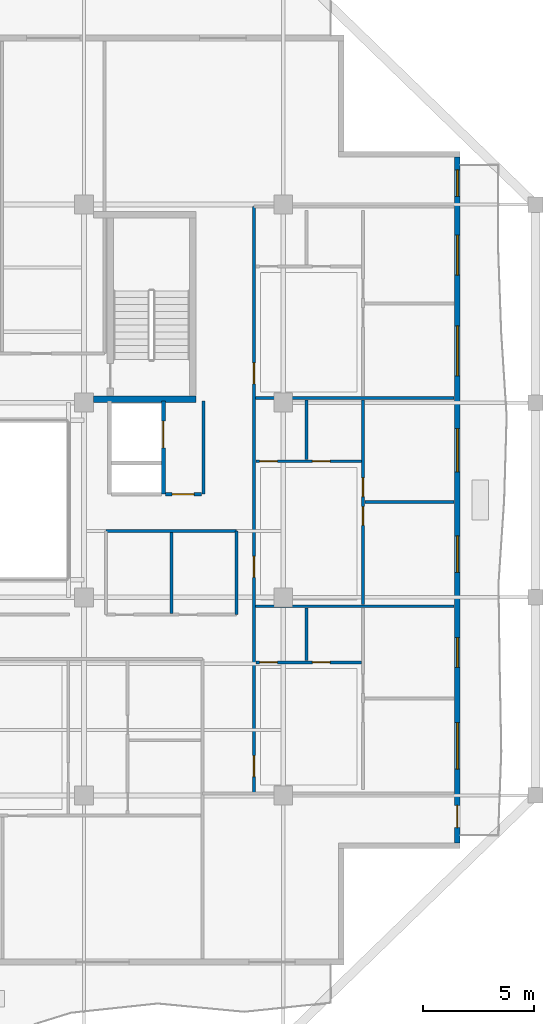
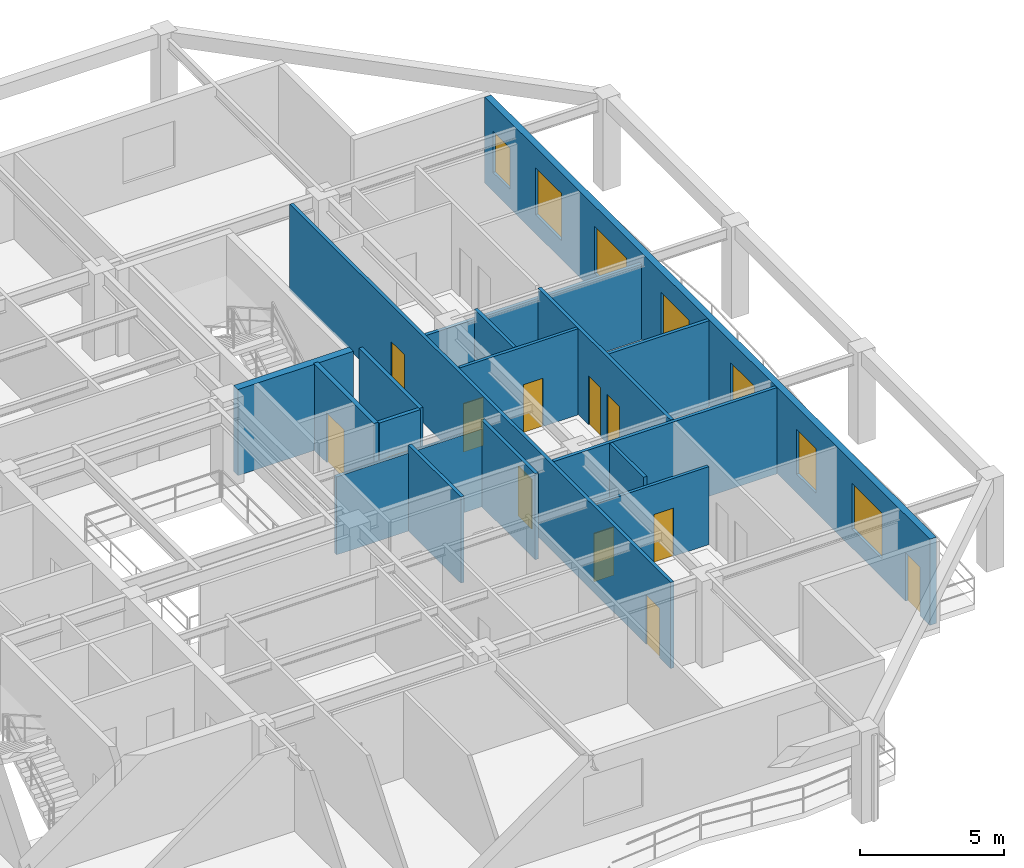
# One storey, part 5 of 13: 17 walls, 12 doors, 7 windows, 19 openings.
"""IFC4 building model written with IfcOpenShell, lengths in metres."""

from ifc_helpers import new_model, si_unit, direction, frame, frame_2d, origin, place, context, subcontext, project, spatial, rectangle, extrude, material, layer, layer_set, type_object, element, fill, save


model = new_model("IFC4")

# Units and contexts
model_context = context("Model", 3, precision=1e-05, world=origin(), true_north=direction((0.0, 1.0)))
body_context = subcontext(model_context, "Body", "Model", "MODEL_VIEW")
ifc_project = project(units=[si_unit("LENGTHUNIT", "METRE"), si_unit("AREAUNIT", "SQUARE_METRE"), si_unit("VOLUMEUNIT", "CUBIC_METRE"), si_unit("PLANEANGLEUNIT", "RADIAN"), si_unit("MASSUNIT", "GRAM", prefix="KILO")], contexts=[model_context])

# Site, building, storey
site_placement = place(None, origin())
site = spatial("IfcSite", under=ifc_project, at=site_placement, CompositionType="ELEMENT")
building_placement = place(site_placement, origin())
building = spatial("IfcBuilding", under=site, at=building_placement, Name="Kundavana Baori Tower", CompositionType="ELEMENT")
storey_placement = place(building_placement, frame((0.0, 0.0, 225.800048828125)))
storey = spatial("IfcBuildingStorey", under=building, at=storey_placement, Name="L55", CompositionType="ELEMENT", Elevation=225.800048828125)

# Wall, openings, door, windows
ifc_material_1 = material(Name="Kiln-Fired Terracotta Brick-Slip Masonry on Concrete C40/50", Category="masonry")
ifc_layer_1 = layer(ifc_material_1, 0.260009765625, Name="WL-EXT-BRK-260")
ifc_layer_set_1 = layer_set([ifc_layer_1], Name="Kiln-Fired Terracotta Brick-Slip Masonry on Concrete C40/50")
wall_type_1 = type_object("IfcWallType", Name="WL-EXT-BRK-260", PredefinedType="SOLIDWALL", material=ifc_layer_set_1)
wall_1_placement = place(storey_placement, frame((50.669921875, 13.110107421875, 0.0), z_axis=(0.0, 0.0, 1.0), x_axis=(0.0, 1.0, 0.0)))
wall_1 = element("IfcWall", 1, at=wall_1_placement, inside=storey, type_object=wall_type_1, Name="L55 Exterior Insulated Facade Wall 04", PredefinedType="SOLIDWALL", context=body_context, shape_type="SweptSolid", body=[
    extrude(rectangle(XDim=30.97998046875, YDim=0.260009765625, at=frame_2d((15.489990234375, 0.0))), origin(), (0.0, 0.0, 1.0), 3.659912109375),
])
opening_1_placement = place(wall_1_placement, frame((0.68994140625, 0.0, 0.0)))
opening_1 = element("IfcOpeningElement", 2, at=opening_1_placement, cuts=wall_1, Name="Opening BD-1", PredefinedType="OPENING", context=body_context, shape_type="SweptSolid", body=[
    extrude(rectangle(XDim=1.0, YDim=2.050048828125, at=frame_2d((0.5, 1.02490234375))), frame((0.0, 0.14013671875, 0.0), z_axis=(0.0, -1.0, 0.0), x_axis=(1.0, 0.0, 0.0)), (0.0, 0.0, 1.0), 0.280029296875),
])
opening_2_placement = place(wall_1_placement, frame((3.327880859375, 0.0, 0.800048828125)))
opening_2 = element("IfcOpeningElement", 3, at=opening_2_placement, cuts=wall_1, Name="Opening W-05", PredefinedType="OPENING", context=body_context, shape_type="SweptSolid", body=[
    extrude(rectangle(XDim=2.10009765625, YDim=1.949951171875, at=frame_2d((1.050048828125, 0.97509765625))), frame((0.0, 0.14013671875, 0.0), z_axis=(0.0, -1.0, 0.0), x_axis=(1.0, 0.0, 0.0)), (0.0, 0.0, 1.0), 0.280029296875),
])
opening_3_placement = place(wall_1_placement, frame((7.927001953125, 0.0, 0.800048828125)))
opening_3 = element("IfcOpeningElement", 4, at=opening_3_placement, cuts=wall_1, Name="Opening W-07", PredefinedType="OPENING", context=body_context, shape_type="SweptSolid", body=[
    extrude(rectangle(XDim=1.35009765625, YDim=1.89990234375, at=frame_2d((0.675048828125, 0.949951171875))), frame((0.0, 0.14013671875, 0.0), z_axis=(0.0, -1.0, 0.0), x_axis=(1.0, 0.0, 0.0)), (0.0, 0.0, 1.0), 0.280029296875),
])
opening_4_placement = place(wall_1_placement, frame((12.215087890625, 0.0, 0.800048828125)))
opening_4 = element("IfcOpeningElement", 5, at=opening_4_placement, cuts=wall_1, Name="Opening W-08", PredefinedType="OPENING", context=body_context, shape_type="SweptSolid", body=[
    extrude(rectangle(XDim=1.64990234375, YDim=1.949951171875, at=frame_2d((0.824951171875, 0.97509765625))), frame((0.0, 0.14013671875, 0.0), z_axis=(0.0, -1.0, 0.0), x_axis=(1.0, 0.0, 0.0)), (0.0, 0.0, 1.0), 0.280029296875),
])
opening_5_placement = place(wall_1_placement, frame((16.764892578125, 0.0, 0.800048828125)))
opening_5 = element("IfcOpeningElement", 6, at=opening_5_placement, cuts=wall_1, Name="Opening W-09", PredefinedType="OPENING", context=body_context, shape_type="SweptSolid", body=[
    extrude(rectangle(XDim=1.949951171875, YDim=2.0, at=frame_2d((0.97509765625, 1.0))), frame((0.0, 0.14013671875, 0.0), z_axis=(0.0, -1.0, 0.0), x_axis=(1.0, 0.0, 0.0)), (0.0, 0.0, 1.0), 0.280029296875),
])
opening_6_placement = place(wall_1_placement, frame((21.10205078125, 0.0, 0.800048828125)))
opening_6 = element("IfcOpeningElement", 7, at=opening_6_placement, cuts=wall_1, Name="Opening W-10", PredefinedType="OPENING", context=body_context, shape_type="SweptSolid", body=[
    extrude(rectangle(XDim=2.25, YDim=2.0, at=frame_2d((1.125, 1.0))), frame((0.0, 0.14013671875, 0.0), z_axis=(0.0, -1.0, 0.0), x_axis=(1.0, 0.0, 0.0)), (0.0, 0.0, 1.0), 0.280029296875),
])
opening_7_placement = place(wall_1_placement, frame((25.652099609375, 0.0, 0.800048828125)))
opening_7 = element("IfcOpeningElement", 8, at=opening_7_placement, cuts=wall_1, Name="Opening W-01", PredefinedType="OPENING", context=body_context, shape_type="SweptSolid", body=[
    extrude(rectangle(XDim=1.800048828125, YDim=2.0, at=frame_2d((0.89990234375, 1.0))), frame((0.0, 0.14013671875, 0.0), z_axis=(0.0, -1.0, 0.0), x_axis=(1.0, 0.0, 0.0)), (0.0, 0.0, 1.0), 0.280029296875),
])
opening_8_placement = place(wall_1_placement, frame((29.205078125, 0.0, 0.800048828125)))
opening_8 = element("IfcOpeningElement", 9, at=opening_8_placement, cuts=wall_1, Name="Opening W-03", PredefinedType="OPENING", context=body_context, shape_type="SweptSolid", body=[
    extrude(rectangle(XDim=1.199951171875, YDim=1.75, at=frame_2d((0.60009765625, 0.875))), frame((0.0, 0.14013671875, 0.0), z_axis=(0.0, -1.0, 0.0), x_axis=(1.0, 0.0, 0.0)), (0.0, 0.0, 1.0), 0.280029296875),
])
ifc_material_2 = material(Name="Architectural Patinated Bronze Metalwork")
door_type_1 = type_object("IfcDoorType", Name="DR-EXT-LOG-1000", OperationType="NOTDEFINED", PredefinedType="DOOR", material=ifc_material_2)
door_1_placement = place(opening_1_placement, frame((1.0, 0.0, 0.0), z_axis=(0.0, 0.0, 1.0), x_axis=(-1.0, 0.0, 0.0)))
door_1 = element("IfcDoor", 10, at=door_1_placement, inside=storey, type_object=door_type_1, Name="L55 Loggia Balcony Access Door E", OperationType="SINGLE_SWING_RIGHT", OverallHeight=2.050048828125, OverallWidth=1.0, PredefinedType="DOOR", context=body_context, shape_type="SweptSolid", body=[
    extrude(rectangle(XDim=1.0, YDim=2.050048828125, at=frame_2d((0.5, 1.02490234375))), frame((0.0, 0.02490234375, 0.0), z_axis=(0.0, -1.0, 0.0), x_axis=(1.0, 0.0, 0.0)), (0.0, 0.0, 1.0), 0.050048828125),
])
fill(opening_1, door_1)
ifc_material_3 = material(Name="Double-Glazed Solar-Control Low-E Insulated Glass", Category="glass")
window_type_1 = type_object("IfcWindowType", Name="WIN-LOG-1200x1750", PartitioningType="SINGLE_PANEL", PredefinedType="WINDOW", material=ifc_material_3)
window_1_placement = place(opening_8_placement, origin())
window_1 = element("IfcWindow", 11, at=window_1_placement, inside=storey, type_object=window_type_1, Name="L55 Recessed Loggia Window E-8", OverallHeight=1.75, OverallWidth=1.199951171875, PartitioningType="SINGLE_PANEL", PredefinedType="WINDOW", context=body_context, shape_type="SweptSolid", body=[
    extrude(rectangle(XDim=1.199951171875, YDim=1.75, at=frame_2d((0.60009765625, 0.875))), frame((0.0, 0.030029296875, 0.0), z_axis=(0.0, -1.0, 0.0), x_axis=(1.0, 0.0, 0.0)), (0.0, 0.0, 1.0), 0.06005859375),
])
fill(opening_8, window_1)
ifc_material_4 = material(Name="Double-Glazed Solar-Control Low-E Insulated Glass", Category="glass")
window_type_2 = type_object("IfcWindowType", Name="WIN-LOG-1350x1900", PartitioningType="SINGLE_PANEL", PredefinedType="WINDOW", material=ifc_material_4)
window_2_placement = place(opening_3_placement, origin())
window_2 = element("IfcWindow", 12, at=window_2_placement, inside=storey, type_object=window_type_2, Name="L55 Recessed Loggia Window E-3", OverallHeight=1.89990234375, OverallWidth=1.35009765625, PartitioningType="SINGLE_PANEL", PredefinedType="WINDOW", context=body_context, shape_type="SweptSolid", body=[
    extrude(rectangle(XDim=1.35009765625, YDim=1.89990234375, at=frame_2d((0.675048828125, 0.949951171875))), frame((0.0, 0.030029296875, 0.0), z_axis=(0.0, -1.0, 0.0), x_axis=(1.0, 0.0, 0.0)), (0.0, 0.0, 1.0), 0.06005859375),
])
fill(opening_3, window_2)
ifc_material_5 = material(Name="Double-Glazed Solar-Control Low-E Insulated Glass", Category="glass")
window_type_3 = type_object("IfcWindowType", Name="WIN-LOG-1650x1950", PartitioningType="SINGLE_PANEL", PredefinedType="WINDOW", material=ifc_material_5)
window_3_placement = place(opening_4_placement, origin())
window_3 = element("IfcWindow", 13, at=window_3_placement, inside=storey, type_object=window_type_3, Name="L55 Recessed Loggia Window E-4", OverallHeight=1.949951171875, OverallWidth=1.64990234375, PartitioningType="SINGLE_PANEL", PredefinedType="WINDOW", context=body_context, shape_type="SweptSolid", body=[
    extrude(rectangle(XDim=1.64990234375, YDim=1.949951171875, at=frame_2d((0.824951171875, 0.97509765625))), frame((0.0, 0.030029296875, 0.0), z_axis=(0.0, -1.0, 0.0), x_axis=(1.0, 0.0, 0.0)), (0.0, 0.0, 1.0), 0.06005859375),
])
fill(opening_4, window_3)
ifc_material_6 = material(Name="Double-Glazed Solar-Control Low-E Insulated Glass", Category="glass")
window_type_4 = type_object("IfcWindowType", Name="WIN-LOG-1800x2000", PartitioningType="SINGLE_PANEL", PredefinedType="WINDOW", material=ifc_material_6)
window_4_placement = place(opening_7_placement, origin())
window_4 = element("IfcWindow", 14, at=window_4_placement, inside=storey, type_object=window_type_4, Name="L55 Recessed Loggia Window E-7", OverallHeight=2.0, OverallWidth=1.800048828125, PartitioningType="SINGLE_PANEL", PredefinedType="WINDOW", context=body_context, shape_type="SweptSolid", body=[
    extrude(rectangle(XDim=1.800048828125, YDim=2.0, at=frame_2d((0.89990234375, 1.0))), frame((0.0, 0.030029296875, 0.0), z_axis=(0.0, -1.0, 0.0), x_axis=(1.0, 0.0, 0.0)), (0.0, 0.0, 1.0), 0.06005859375),
])
fill(opening_7, window_4)
ifc_material_7 = material(Name="Double-Glazed Solar-Control Low-E Insulated Glass", Category="glass")
window_type_5 = type_object("IfcWindowType", Name="WIN-LOG-1950x2000", PartitioningType="SINGLE_PANEL", PredefinedType="WINDOW", material=ifc_material_7)
window_5_placement = place(opening_5_placement, origin())
window_5 = element("IfcWindow", 15, at=window_5_placement, inside=storey, type_object=window_type_5, Name="L55 Recessed Loggia Window E-5", OverallHeight=2.0, OverallWidth=1.949951171875, PartitioningType="SINGLE_PANEL", PredefinedType="WINDOW", context=body_context, shape_type="SweptSolid", body=[
    extrude(rectangle(XDim=1.949951171875, YDim=2.0, at=frame_2d((0.97509765625, 1.0))), frame((0.0, 0.030029296875, 0.0), z_axis=(0.0, -1.0, 0.0), x_axis=(1.0, 0.0, 0.0)), (0.0, 0.0, 1.0), 0.06005859375),
])
fill(opening_5, window_5)
ifc_material_8 = material(Name="Double-Glazed Solar-Control Low-E Insulated Glass", Category="glass")
window_type_6 = type_object("IfcWindowType", Name="WIN-LOG-2100x1950", PartitioningType="SINGLE_PANEL", PredefinedType="WINDOW", material=ifc_material_8)
window_6_placement = place(opening_2_placement, origin())
window_6 = element("IfcWindow", 16, at=window_6_placement, inside=storey, type_object=window_type_6, Name="L55 Recessed Loggia Window E-2", OverallHeight=1.949951171875, OverallWidth=2.10009765625, PartitioningType="SINGLE_PANEL", PredefinedType="WINDOW", context=body_context, shape_type="SweptSolid", body=[
    extrude(rectangle(XDim=2.10009765625, YDim=1.949951171875, at=frame_2d((1.050048828125, 0.97509765625))), frame((0.0, 0.030029296875, 0.0), z_axis=(0.0, -1.0, 0.0), x_axis=(1.0, 0.0, 0.0)), (0.0, 0.0, 1.0), 0.06005859375),
])
fill(opening_2, window_6)
ifc_material_9 = material(Name="Double-Glazed Solar-Control Low-E Insulated Glass", Category="glass")
window_type_7 = type_object("IfcWindowType", Name="WIN-LOG-2250x2000", PartitioningType="SINGLE_PANEL", PredefinedType="WINDOW", material=ifc_material_9)
window_7_placement = place(opening_6_placement, origin())
window_7 = element("IfcWindow", 17, at=window_7_placement, inside=storey, type_object=window_type_7, Name="L55 Recessed Loggia Window E-6", OverallHeight=2.0, OverallWidth=2.25, PartitioningType="SINGLE_PANEL", PredefinedType="WINDOW", context=body_context, shape_type="SweptSolid", body=[
    extrude(rectangle(XDim=2.25, YDim=2.0, at=frame_2d((1.125, 1.0))), frame((0.0, 0.030029296875, 0.0), z_axis=(0.0, -1.0, 0.0), x_axis=(1.0, 0.0, 0.0)), (0.0, 0.0, 1.0), 0.06005859375),
])
fill(opening_6, window_7)

# Wall, openings, doors
ifc_material_10 = material(Name="Acoustic Gypsum Plasterboard on Galvanised Steel Studs", Category="steel")
ifc_layer_2 = layer(ifc_material_10, 0.135009765625, Name="WL-PART-135")
ifc_layer_set_2 = layer_set([ifc_layer_2], Name="Acoustic Gypsum Plasterboard on Galvanised Steel Studs")
wall_type_2 = type_object("IfcWallType", Name="WL-PART-135", PredefinedType="PARTITIONING", material=ifc_layer_set_2)
wall_2_placement = place(storey_placement, frame((41.47998046875, 15.35009765625, 0.0), z_axis=(0.0, 0.0, 1.0), x_axis=(0.0, 1.0, 0.0)))
wall_2 = element("IfcWall", 18, at=wall_2_placement, inside=storey, type_object=wall_type_2, Name="WL-L55-RE", PredefinedType="PARTITIONING", context=body_context, shape_type="SweptSolid", body=[
    extrude(rectangle(XDim=26.5, YDim=0.135009765625, at=frame_2d((13.25, 0.0))), origin(), (0.0, 0.0, 1.0), 3.659912109375),
])
opening_9_placement = place(wall_2_placement, frame((0.75, 0.0, 0.0)))
opening_9 = element("IfcOpeningElement", 19, at=opening_9_placement, cuts=wall_2, Name="Opening FD-095", PredefinedType="OPENING", context=body_context, shape_type="SweptSolid", body=[
    extrude(rectangle(XDim=0.949951171875, YDim=2.10009765625, at=frame_2d((0.47509765625, 1.050048828125))), frame((0.0, 0.07763671875, 0.0), z_axis=(0.0, -1.0, 0.0), x_axis=(1.0, 0.0, 0.0)), (0.0, 0.0, 1.0), 0.155029296875),
])
opening_10_placement = place(wall_2_placement, frame((9.75, 0.0, 0.0)))
opening_10 = element("IfcOpeningElement", 20, at=opening_10_placement, cuts=wall_2, Name="Opening FD-095", PredefinedType="OPENING", context=body_context, shape_type="SweptSolid", body=[
    extrude(rectangle(XDim=0.949951171875, YDim=2.10009765625, at=frame_2d((0.47509765625, 1.050048828125))), frame((0.0, 0.07763671875, 0.0), z_axis=(0.0, -1.0, 0.0), x_axis=(1.0, 0.0, 0.0)), (0.0, 0.0, 1.0), 0.155029296875),
])
opening_11_placement = place(wall_2_placement, frame((18.5, 0.0, 0.0)))
opening_11 = element("IfcOpeningElement", 21, at=opening_11_placement, cuts=wall_2, Name="Opening FD-095", PredefinedType="OPENING", context=body_context, shape_type="SweptSolid", body=[
    extrude(rectangle(XDim=0.949951171875, YDim=2.10009765625, at=frame_2d((0.47509765625, 1.050048828125))), frame((0.0, 0.07763671875, 0.0), z_axis=(0.0, -1.0, 0.0), x_axis=(1.0, 0.0, 0.0)), (0.0, 0.0, 1.0), 0.155029296875),
])
ifc_material_11 = material(Name="Engineered Teak Fire-Rated Timber Door Leaf", Category="wood")
door_type_2 = type_object("IfcDoorType", Name="DR-FD60-950", OperationType="NOTDEFINED", PredefinedType="DOOR", material=ifc_material_11)
door_2_placement = place(opening_9_placement, origin())
door_2 = element("IfcDoor", 22, at=door_2_placement, inside=storey, type_object=door_type_2, Name="DR-L55-E1-ENT", OperationType="SINGLE_SWING_LEFT", OverallHeight=2.10009765625, OverallWidth=0.949951171875, PredefinedType="DOOR", context=body_context, shape_type="SweptSolid", body=[
    extrude(rectangle(XDim=0.949951171875, YDim=2.10009765625, at=frame_2d((0.47509765625, 1.050048828125))), frame((0.0, 0.02490234375, 0.0), z_axis=(0.0, -1.0, 0.0), x_axis=(1.0, 0.0, 0.0)), (0.0, 0.0, 1.0), 0.050048828125),
])
fill(opening_9, door_2)
door_3_placement = place(opening_10_placement, origin())
door_3 = element("IfcDoor", 23, at=door_3_placement, inside=storey, type_object=door_type_2, Name="DR-L55-E2-ENT", OperationType="SINGLE_SWING_LEFT", OverallHeight=2.10009765625, OverallWidth=0.949951171875, PredefinedType="DOOR", context=body_context, shape_type="SweptSolid", body=[
    extrude(rectangle(XDim=0.949951171875, YDim=2.10009765625, at=frame_2d((0.47509765625, 1.050048828125))), frame((0.0, 0.02490234375, 0.0), z_axis=(0.0, -1.0, 0.0), x_axis=(1.0, 0.0, 0.0)), (0.0, 0.0, 1.0), 0.050048828125),
])
fill(opening_10, door_3)
door_4_placement = place(opening_11_placement, origin())
door_4 = element("IfcDoor", 24, at=door_4_placement, inside=storey, type_object=door_type_2, Name="DR-L55-E3-ENT", OperationType="SINGLE_SWING_LEFT", OverallHeight=2.10009765625, OverallWidth=0.949951171875, PredefinedType="DOOR", context=body_context, shape_type="SweptSolid", body=[
    extrude(rectangle(XDim=0.949951171875, YDim=2.10009765625, at=frame_2d((0.47509765625, 1.050048828125))), frame((0.0, 0.02490234375, 0.0), z_axis=(0.0, -1.0, 0.0), x_axis=(1.0, 0.0, 0.0)), (0.0, 0.0, 1.0), 0.050048828125),
])
fill(opening_11, door_4)

# Wall
wall_3_placement = place(storey_placement, frame((41.56005859375, 23.800048828125, 0.0), z_axis=(0.0, 0.0, 1.0), x_axis=(1.0, 0.0, 0.0)))
element("IfcWall", 25, at=wall_3_placement, inside=storey, type_object=wall_type_2, Name="WL-L55-RED1", PredefinedType="PARTITIONING", context=body_context, shape_type="SweptSolid", body=[
    extrude(rectangle(XDim=8.9599609375, YDim=0.135009765625, at=frame_2d((4.47998046875, 0.0))), origin(), (0.0, 0.0, 1.0), 3.659912109375),
])

# Wall, openings, doors
wall_4_placement = place(storey_placement, frame((46.407958984375, 23.8798828125, 0.0), z_axis=(0.0, 0.0, 1.0), x_axis=(0.0, 1.0, 0.0)))
wall_4 = element("IfcWall", 26, at=wall_4_placement, inside=storey, type_object=wall_type_2, Name="WL-L55-E2-VT", PredefinedType="PARTITIONING", context=body_context, shape_type="SweptSolid", body=[
    extrude(rectangle(XDim=9.240234375, YDim=0.135009765625, at=frame_2d((4.6201171875, 0.0))), origin(), (0.0, 0.0, 1.0), 3.659912109375),
])
opening_12_placement = place(wall_4_placement, frame((3.570068359375, 0.0, 0.0)))
opening_12 = element("IfcOpeningElement", 27, at=opening_12_placement, cuts=wall_4, Name="Opening ID-085", PredefinedType="OPENING", context=body_context, shape_type="SweptSolid", body=[
    extrude(rectangle(XDim=0.85009765625, YDim=2.080078125, at=frame_2d((0.425048828125, 1.0400390625))), frame((0.0, 0.07763671875, 0.0), z_axis=(0.0, -1.0, 0.0), x_axis=(1.0, 0.0, 0.0)), (0.0, 0.0, 1.0), 0.155029296875),
])
opening_13_placement = place(wall_4_placement, frame((4.8701171875, 0.0, 0.0)))
opening_13 = element("IfcOpeningElement", 28, at=opening_13_placement, cuts=wall_4, Name="Opening ID-085", PredefinedType="OPENING", context=body_context, shape_type="SweptSolid", body=[
    extrude(rectangle(XDim=0.85009765625, YDim=2.080078125, at=frame_2d((0.425048828125, 1.0400390625))), frame((0.0, 0.07763671875, 0.0), z_axis=(0.0, -1.0, 0.0), x_axis=(1.0, 0.0, 0.0)), (0.0, 0.0, 1.0), 0.155029296875),
])
ifc_material_12 = material(Name="Engineered Teak Solid-Core Timber Veneer", Category="wood")
door_type_3 = type_object("IfcDoorType", Name="DR-INT-850", OperationType="NOTDEFINED", PredefinedType="DOOR", material=ifc_material_12)
door_5_placement = place(opening_12_placement, origin())
door_5 = element("IfcDoor", 29, at=door_5_placement, inside=storey, type_object=door_type_3, Name="DR-L55-E2-B1", OperationType="SINGLE_SWING_LEFT", OverallHeight=2.080078125, OverallWidth=0.85009765625, PredefinedType="DOOR", context=body_context, shape_type="SweptSolid", body=[
    extrude(rectangle(XDim=0.85009765625, YDim=2.080078125, at=frame_2d((0.425048828125, 1.0400390625))), frame((0.0, 0.02490234375, 0.0), z_axis=(0.0, -1.0, 0.0), x_axis=(1.0, 0.0, 0.0)), (0.0, 0.0, 1.0), 0.050048828125),
])
fill(opening_12, door_5)
door_6_placement = place(opening_13_placement, origin())
door_6 = element("IfcDoor", 30, at=door_6_placement, inside=storey, type_object=door_type_3, Name="DR-L55-E2-B2", OperationType="SINGLE_SWING_RIGHT", OverallHeight=2.080078125, OverallWidth=0.85009765625, PredefinedType="DOOR", context=body_context, shape_type="SweptSolid", body=[
    extrude(rectangle(XDim=0.85009765625, YDim=2.080078125, at=frame_2d((0.425048828125, 1.0400390625))), frame((0.0, 0.02490234375, 0.0), z_axis=(0.0, -1.0, 0.0), x_axis=(1.0, 0.0, 0.0)), (0.0, 0.0, 1.0), 0.050048828125),
])
fill(opening_13, door_6)

# Walls
wall_5_placement = place(storey_placement, frame((46.488037109375, 28.5, 0.0), z_axis=(0.0, 0.0, 1.0), x_axis=(1.0, 0.0, 0.0)))
element("IfcWall", 31, at=wall_5_placement, inside=storey, type_object=wall_type_2, Name="WL-L55-E2-BDH", PredefinedType="PARTITIONING", context=body_context, shape_type="SweptSolid", body=[
    extrude(rectangle(XDim=4.031982421875, YDim=0.135009765625, at=frame_2d((2.01611328125, 0.0))), origin(), (0.0, 0.0, 1.0), 3.659912109375),
])
wall_6_placement = place(storey_placement, frame((41.56005859375, 33.199951171875, 0.0), z_axis=(0.0, 0.0, 1.0), x_axis=(1.0, 0.0, 0.0)))
element("IfcWall", 32, at=wall_6_placement, inside=storey, type_object=wall_type_2, Name="WL-L55-RED2", PredefinedType="PARTITIONING", context=body_context, shape_type="SweptSolid", body=[
    extrude(rectangle(XDim=8.9599609375, YDim=0.135009765625, at=frame_2d((4.47998046875, 0.0))), origin(), (0.0, 0.0, 1.0), 3.2099609375),
])
wall_7_placement = place(storey_placement, frame((34.800048828125, 27.199951171875, 0.0), z_axis=(0.0, 0.0, 1.0), x_axis=(1.0, 0.0, 0.0)))
element("IfcWall", 33, at=wall_7_placement, inside=storey, type_object=wall_type_2, Name="WL-L55-ALN", PredefinedType="PARTITIONING", context=body_context, shape_type="SweptSolid", body=[
    extrude(rectangle(XDim=5.89990234375, YDim=0.135009765625, at=frame_2d((2.949951171875, 0.0))), origin(), (0.0, 0.0, 1.0), 3.31005859375),
])
wall_8_placement = place(storey_placement, frame((40.699951171875, 23.419921875, 0.0), z_axis=(0.0, 0.0, 1.0), x_axis=(0.0, 1.0, 0.0)))
element("IfcWall", 34, at=wall_8_placement, inside=storey, type_object=wall_type_2, Name="WL-L55-ALE", PredefinedType="PARTITIONING", context=body_context, shape_type="SweptSolid", body=[
    extrude(rectangle(XDim=3.780029296875, YDim=0.135009765625, at=frame_2d((1.89013671875, 0.0))), origin(), (0.0, 0.0, 1.0), 3.659912109375),
])
wall_9_placement = place(storey_placement, frame((37.75, 23.47998046875, 0.0), z_axis=(0.0, 0.0, 1.0), x_axis=(0.0, 1.0, 0.0)))
element("IfcWall", 35, at=wall_9_placement, inside=storey, type_object=wall_type_2, Name="WL-L55-ALD1", PredefinedType="PARTITIONING", context=body_context, shape_type="SweptSolid", body=[
    extrude(rectangle(XDim=3.659912109375, YDim=0.135009765625, at=frame_2d((1.830078125, 0.0))), origin(), (0.0, 0.0, 1.0), 3.659912109375),
])
ifc_material_13 = material(Name="Fire-Rated Gypsum Drywall on Galvanised Steel Studs", Category="steel")
ifc_layer_3 = layer(ifc_material_13, 0.14990234375, Name="WL-PART-150")
ifc_layer_set_3 = layer_set([ifc_layer_3], Name="Fire-Rated Gypsum Drywall on Galvanised Steel Studs")
wall_type_3 = type_object("IfcWallType", Name="WL-PART-150", PredefinedType="PARTITIONING", material=ifc_layer_set_3)
wall_10_placement = place(storey_placement, frame((39.199951171875, 28.860107421875, 0.0), z_axis=(0.0, 0.0, 1.0), x_axis=(0.0, 1.0, 0.0)))
element("IfcWall", 36, at=wall_10_placement, inside=storey, type_object=wall_type_3, Name="WL-L55-SVLOB-E", PredefinedType="PARTITIONING", context=body_context, shape_type="SweptSolid", body=[
    extrude(rectangle(XDim=4.219970703125, YDim=0.14990234375, at=frame_2d((2.10986328125, 0.0))), origin(), (0.0, 0.0, 1.0), 3.659912109375),
])

# Wall, opening, door
wall_11_placement = place(storey_placement, frame((37.47998046875, 28.860107421875, 0.0), z_axis=(0.0, 0.0, 1.0), x_axis=(1.0, 0.0, 0.0)))
wall_11 = element("IfcWall", 37, at=wall_11_placement, inside=storey, type_object=wall_type_3, Name="WL-L55-SVLOB-S", PredefinedType="PARTITIONING", context=body_context, shape_type="SweptSolid", body=[
    extrude(rectangle(XDim=1.64013671875, YDim=0.14990234375, at=frame_2d((0.820068359375, 0.0))), origin(), (0.0, 0.0, 1.0), 3.659912109375),
])
opening_14_placement = place(wall_11_placement, frame((0.300048828125, 0.0, 0.0)))
opening_14 = element("IfcOpeningElement", 38, at=opening_14_placement, cuts=wall_11, Name="Opening FD-100", PredefinedType="OPENING", context=body_context, shape_type="SweptSolid", body=[
    extrude(rectangle(XDim=1.0, YDim=2.10009765625, at=frame_2d((0.5, 1.050048828125))), frame((0.0, 0.0849609375, 0.0), z_axis=(0.0, -1.0, 0.0), x_axis=(1.0, 0.0, 0.0)), (0.0, 0.0, 1.0), 0.169921875),
])
ifc_material_14 = material(Name="Engineered Teak Fire-Rated Timber Door Leaf", Category="wood")
door_type_4 = type_object("IfcDoorType", Name="DR-FD60-1000", OperationType="NOTDEFINED", PredefinedType="DOOR", material=ifc_material_14)
door_7_placement = place(opening_14_placement, origin())
door_7 = element("IfcDoor", 39, at=door_7_placement, inside=storey, type_object=door_type_4, Name="DR-L55-SVLOB-OUT", OperationType="SINGLE_SWING_LEFT", OverallHeight=2.10009765625, OverallWidth=1.0, PredefinedType="DOOR", context=body_context, shape_type="SweptSolid", body=[
    extrude(rectangle(XDim=1.0, YDim=2.10009765625, at=frame_2d((0.5, 1.050048828125))), frame((0.0, 0.02490234375, 0.0), z_axis=(0.0, -1.0, 0.0), x_axis=(1.0, 0.0, 0.0)), (0.0, 0.0, 1.0), 0.050048828125),
])
fill(opening_14, door_7)

ifc_material_15 = material(Name="Autoclaved Aerated Concrete Blockwork Masonry", Category="masonry")
ifc_layer_4 = layer(ifc_material_15, 0.179931640625, Name="WL-SHAFT-180")
ifc_layer_set_4 = layer_set([ifc_layer_4], Name="Autoclaved Aerated Concrete Blockwork Masonry")
wall_type_4 = type_object("IfcWallType", Name="WL-SHAFT-180", PredefinedType="SOLIDWALL", material=ifc_layer_set_4)
wall_12_placement = place(storey_placement, frame((37.389892578125, 28.860107421875, 0.0), z_axis=(0.0, 0.0, 1.0), x_axis=(0.0, 1.0, 0.0)))
wall_12 = element("IfcWall", 40, at=wall_12_placement, inside=storey, type_object=wall_type_4, Name="WL-L55-SVL-E", PredefinedType="SOLIDWALL", context=body_context, shape_type="SweptSolid", body=[
    extrude(rectangle(XDim=4.219970703125, YDim=0.179931640625, at=frame_2d((2.10986328125, 0.0))), origin(), (0.0, 0.0, 1.0), 3.659912109375),
])
opening_15_placement = place(wall_12_placement, frame((2.10009765625, 0.0, 0.0)))
opening_15 = element("IfcOpeningElement", 41, at=opening_15_placement, cuts=wall_12, Name="Opening LD-120", PredefinedType="OPENING", context=body_context, shape_type="SweptSolid", body=[
    extrude(rectangle(XDim=1.199951171875, YDim=2.1201171875, at=frame_2d((0.60009765625, 1.06005859375))), frame((0.0, 0.10009765625, 0.0), z_axis=(0.0, -1.0, 0.0), x_axis=(1.0, 0.0, 0.0)), (0.0, 0.0, 1.0), 0.199951171875),
])
ifc_material_16 = material(Name="Galvanised Steel Fire-Rated Door Leaf", Category="steel")
door_type_5 = type_object("IfcDoorType", Name="DR-SLIDE-LD1200", OperationType="NOTDEFINED", PredefinedType="DOOR", material=ifc_material_16)
door_8_placement = place(opening_15_placement, frame((1.199951171875, 0.0, 0.0), z_axis=(0.0, 0.0, 1.0), x_axis=(-1.0, 0.0, 0.0)))
door_8 = element("IfcDoor", 42, at=door_8_placement, inside=storey, type_object=door_type_5, Name="DR-L55-LD-SVL1", OperationType="DOUBLE_DOOR_SLIDING", OverallHeight=2.1201171875, OverallWidth=1.199951171875, PredefinedType="DOOR", context=body_context, shape_type="SweptSolid", body=[
    extrude(rectangle(XDim=1.199951171875, YDim=2.1201171875, at=frame_2d((0.60009765625, 1.06005859375))), frame((0.0, 0.02490234375, 0.0), z_axis=(0.0, -1.0, 0.0), x_axis=(1.0, 0.0, 0.0)), (0.0, 0.0, 1.0), 0.050048828125),
])
fill(opening_15, door_8)

# Wall
ifc_material_17 = material(Name="Concrete C50/60", Category="concrete")
ifc_layer_5 = layer(ifc_material_17, 0.300048828125, Name="WL-ST3-300")
ifc_layer_set_5 = layer_set([ifc_layer_5], Name="Concrete C50/60")
wall_type_5 = type_object("IfcWallType", Name="WL-ST3-300", PredefinedType="SHEAR", material=ifc_layer_set_5)
wall_13_placement = place(storey_placement, frame((34.22509765625, 33.159912109375, 0.0), z_axis=(0.0, 0.0, 1.0), x_axis=(1.0, 0.0, 0.0)))
element("IfcWall", 43, at=wall_13_placement, inside=storey, type_object=wall_type_5, Name="L55 Stair ST3 South Shear Wall", PredefinedType="SHEAR", context=body_context, shape_type="SweptSolid", body=[
    extrude(rectangle(XDim=4.64501953125, YDim=0.300048828125, at=frame_2d((2.322509765625, 0.0))), origin(), (0.0, 0.0, 1.0), 3.659912109375),
])

# Wall, openings, doors
ifc_material_18 = material(Name="Autoclaved Aerated Concrete Blockwork Masonry", Category="masonry")
ifc_layer_6 = layer(ifc_material_18, 0.125, Name="WL-WET-120")
ifc_layer_set_6 = layer_set([ifc_layer_6], Name="Autoclaved Aerated Concrete Blockwork Masonry")
wall_type_6 = type_object("IfcWallType", Name="WL-WET-120", PredefinedType="PLUMBINGWALL", material=ifc_layer_set_6)
wall_14_placement = place(storey_placement, frame((41.580078125, 21.262939453125, 0.0), z_axis=(0.0, 0.0, 1.0), x_axis=(1.0, 0.0, 0.0)))
wall_14 = element("IfcWall", 44, at=wall_14_placement, inside=storey, type_object=wall_type_6, Name="WL-L55-E1-KH", PredefinedType="PLUMBINGWALL", context=body_context, shape_type="SweptSolid", body=[
    extrude(rectangle(XDim=4.747802734375, YDim=0.125, at=frame_2d((2.3740234375, 0.0))), origin(), (0.0, 0.0, 1.0), 3.31005859375),
])
opening_16_placement = place(wall_14_placement, frame((0.159912109375, 0.0, 0.0)))
opening_16 = element("IfcOpeningElement", 45, at=opening_16_placement, cuts=wall_14, Name="Opening WD-080", PredefinedType="OPENING", context=body_context, shape_type="SweptSolid", body=[
    extrude(rectangle(XDim=0.800048828125, YDim=2.050048828125, at=frame_2d((0.39990234375, 1.02490234375))), frame((0.0, 0.072509765625, 0.0), z_axis=(0.0, -1.0, 0.0), x_axis=(1.0, 0.0, 0.0)), (0.0, 0.0, 1.0), 0.14501953125),
])
opening_17_placement = place(wall_14_placement, frame((2.5390625, 0.0, 0.0)))
opening_17 = element("IfcOpeningElement", 46, at=opening_17_placement, cuts=wall_14, Name="Opening WD-080", PredefinedType="OPENING", context=body_context, shape_type="SweptSolid", body=[
    extrude(rectangle(XDim=0.800048828125, YDim=2.050048828125, at=frame_2d((0.39990234375, 1.02490234375))), frame((0.0, 0.072509765625, 0.0), z_axis=(0.0, -1.0, 0.0), x_axis=(1.0, 0.0, 0.0)), (0.0, 0.0, 1.0), 0.14501953125),
])
ifc_material_19 = material(Name="Engineered Teak Solid-Core Timber Veneer", Category="wood")
door_type_6 = type_object("IfcDoorType", Name="DR-WET-800", OperationType="NOTDEFINED", PredefinedType="DOOR", material=ifc_material_19)
door_9_placement = place(opening_16_placement, origin())
door_9 = element("IfcDoor", 47, at=door_9_placement, inside=storey, type_object=door_type_6, Name="DR-L55-E1-BT", OperationType="SINGLE_SWING_LEFT", OverallHeight=2.050048828125, OverallWidth=0.800048828125, PredefinedType="DOOR", context=body_context, shape_type="SweptSolid", body=[
    extrude(rectangle(XDim=0.800048828125, YDim=2.050048828125, at=frame_2d((0.39990234375, 1.02490234375))), frame((0.0, 0.02490234375, 0.0), z_axis=(0.0, -1.0, 0.0), x_axis=(1.0, 0.0, 0.0)), (0.0, 0.0, 1.0), 0.050048828125),
])
fill(opening_16, door_9)
door_10_placement = place(opening_17_placement, origin())
door_10 = element("IfcDoor", 48, at=door_10_placement, inside=storey, type_object=door_type_6, Name="DR-L55-E1-KT", OperationType="SINGLE_SWING_RIGHT", OverallHeight=2.050048828125, OverallWidth=0.800048828125, PredefinedType="DOOR", context=body_context, shape_type="SweptSolid", body=[
    extrude(rectangle(XDim=0.800048828125, YDim=2.050048828125, at=frame_2d((0.39990234375, 1.02490234375))), frame((0.0, 0.02490234375, 0.0), z_axis=(0.0, -1.0, 0.0), x_axis=(1.0, 0.0, 0.0)), (0.0, 0.0, 1.0), 0.050048828125),
])
fill(opening_17, door_10)

# Wall
wall_15_placement = place(storey_placement, frame((43.85888671875, 21.343017578125, 0.0), z_axis=(0.0, 0.0, 1.0), x_axis=(0.0, 1.0, 0.0)))
element("IfcWall", 49, at=wall_15_placement, inside=storey, type_object=wall_type_6, Name="WL-L55-E1-BV", PredefinedType="PLUMBINGWALL", context=body_context, shape_type="SweptSolid", body=[
    extrude(rectangle(XDim=2.376953125, YDim=0.125, at=frame_2d((1.1884765625, 0.0))), origin(), (0.0, 0.0, 1.0), 3.659912109375),
])

# Wall, openings, doors
wall_16_placement = place(storey_placement, frame((41.580078125, 30.347900390625, 0.0), z_axis=(0.0, 0.0, 1.0), x_axis=(1.0, 0.0, 0.0)))
wall_16 = element("IfcWall", 50, at=wall_16_placement, inside=storey, type_object=wall_type_6, Name="WL-L55-E2-KH", PredefinedType="PLUMBINGWALL", context=body_context, shape_type="SweptSolid", body=[
    extrude(rectangle(XDim=4.747802734375, YDim=0.125, at=frame_2d((2.3740234375, 0.0))), origin(), (0.0, 0.0, 1.0), 3.659912109375),
])
opening_18_placement = place(wall_16_placement, frame((0.159912109375, 0.0, 0.0)))
opening_18 = element("IfcOpeningElement", 51, at=opening_18_placement, cuts=wall_16, Name="Opening WD-080", PredefinedType="OPENING", context=body_context, shape_type="SweptSolid", body=[
    extrude(rectangle(XDim=0.800048828125, YDim=2.050048828125, at=frame_2d((0.39990234375, 1.02490234375))), frame((0.0, 0.072509765625, 0.0), z_axis=(0.0, -1.0, 0.0), x_axis=(1.0, 0.0, 0.0)), (0.0, 0.0, 1.0), 0.14501953125),
])
opening_19_placement = place(wall_16_placement, frame((2.5390625, 0.0, 0.0)))
opening_19 = element("IfcOpeningElement", 52, at=opening_19_placement, cuts=wall_16, Name="Opening WD-080", PredefinedType="OPENING", context=body_context, shape_type="SweptSolid", body=[
    extrude(rectangle(XDim=0.800048828125, YDim=2.050048828125, at=frame_2d((0.39990234375, 1.02490234375))), frame((0.0, 0.072509765625, 0.0), z_axis=(0.0, -1.0, 0.0), x_axis=(1.0, 0.0, 0.0)), (0.0, 0.0, 1.0), 0.14501953125),
])
door_11_placement = place(opening_18_placement, origin())
door_11 = element("IfcDoor", 53, at=door_11_placement, inside=storey, type_object=door_type_6, Name="DR-L55-E2-BT", OperationType="SINGLE_SWING_LEFT", OverallHeight=2.050048828125, OverallWidth=0.800048828125, PredefinedType="DOOR", context=body_context, shape_type="SweptSolid", body=[
    extrude(rectangle(XDim=0.800048828125, YDim=2.050048828125, at=frame_2d((0.39990234375, 1.02490234375))), frame((0.0, 0.02490234375, 0.0), z_axis=(0.0, -1.0, 0.0), x_axis=(1.0, 0.0, 0.0)), (0.0, 0.0, 1.0), 0.050048828125),
])
fill(opening_18, door_11)
door_12_placement = place(opening_19_placement, origin())
door_12 = element("IfcDoor", 54, at=door_12_placement, inside=storey, type_object=door_type_6, Name="DR-L55-E2-KT", OperationType="SINGLE_SWING_RIGHT", OverallHeight=2.050048828125, OverallWidth=0.800048828125, PredefinedType="DOOR", context=body_context, shape_type="SweptSolid", body=[
    extrude(rectangle(XDim=0.800048828125, YDim=2.050048828125, at=frame_2d((0.39990234375, 1.02490234375))), frame((0.0, 0.02490234375, 0.0), z_axis=(0.0, -1.0, 0.0), x_axis=(1.0, 0.0, 0.0)), (0.0, 0.0, 1.0), 0.050048828125),
])
fill(opening_19, door_12)

# Wall
wall_17_placement = place(storey_placement, frame((43.85888671875, 30.427978515625, 0.0), z_axis=(0.0, 0.0, 1.0), x_axis=(0.0, 1.0, 0.0)))
element("IfcWall", 55, at=wall_17_placement, inside=storey, type_object=wall_type_6, Name="WL-L55-E2-BV", PredefinedType="PLUMBINGWALL", context=body_context, shape_type="SweptSolid", body=[
    extrude(rectangle(XDim=2.692138671875, YDim=0.125, at=frame_2d((1.34619140625, 0.0))), origin(), (0.0, 0.0, 1.0), 3.659912109375),
])

save(model, "model.ifc")
